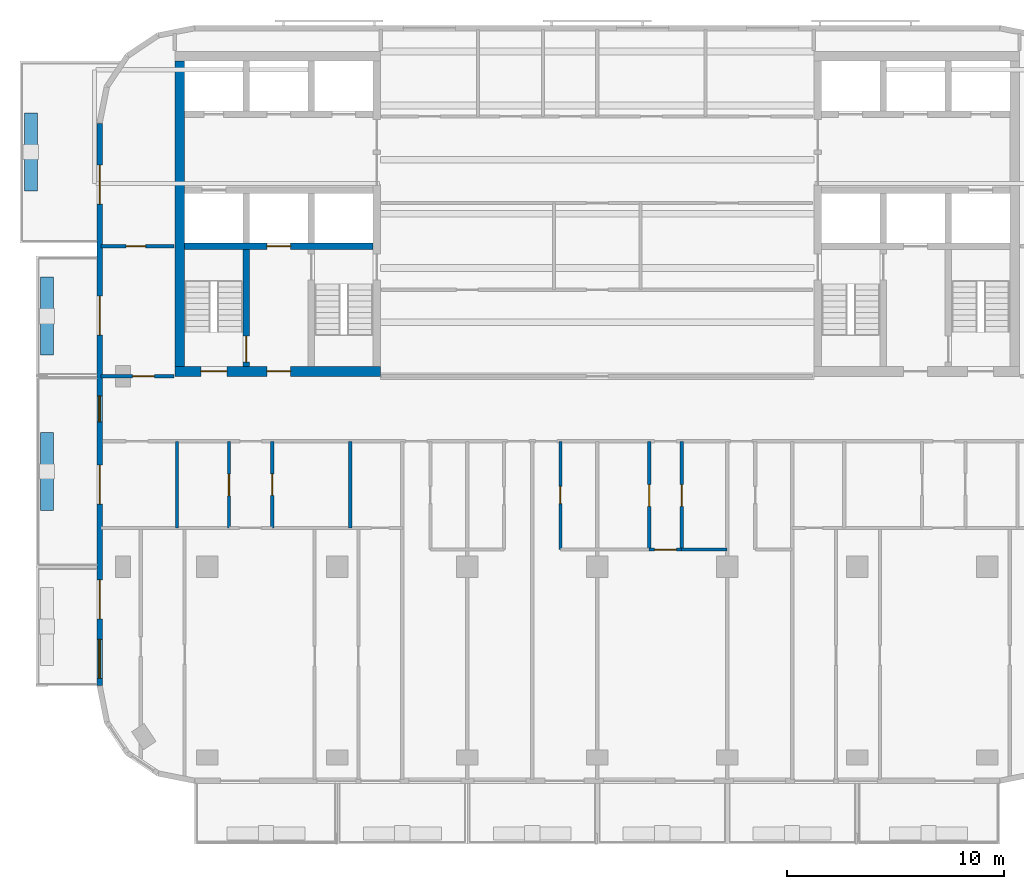
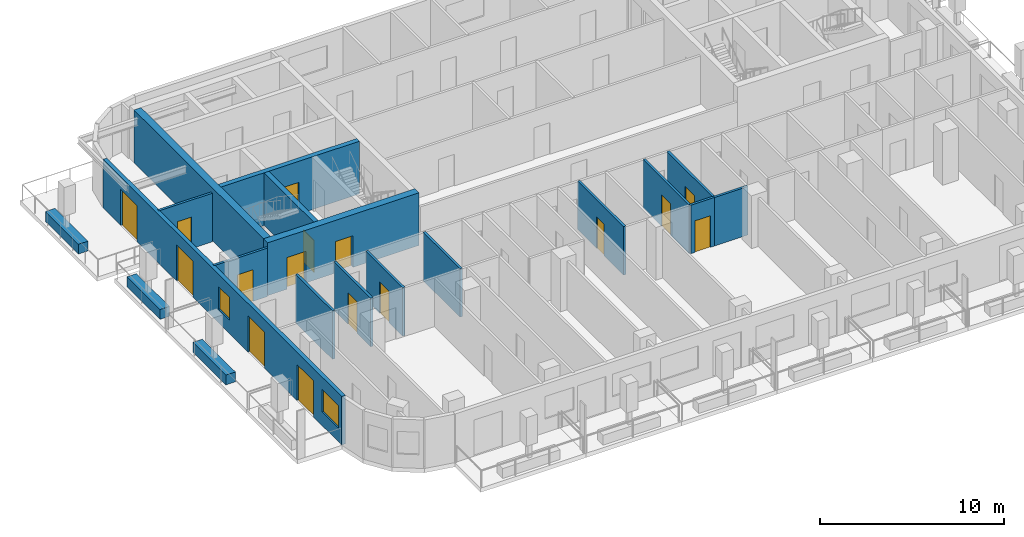
# One storey, part 3 of 11: 19 walls, 16 doors, 2 windows, 18 openings.
"""IFC4 building model written with IfcOpenShell, lengths in metres."""

from ifc_helpers import new_model, si_unit, direction, frame, frame_2d, origin, place, context, subcontext, project, spatial, rectangle, extrude, material, layer, layer_set, type_object, element, fill, save


model = new_model("IFC4")

# Units and contexts
model_context = context("Model", 3, precision=1e-05, world=origin(), true_north=direction((0.0, 1.0)))
body_context = subcontext(model_context, "Body", "Model", "MODEL_VIEW")
ifc_project = project(units=[si_unit("LENGTHUNIT", "METRE"), si_unit("AREAUNIT", "SQUARE_METRE"), si_unit("VOLUMEUNIT", "CUBIC_METRE"), si_unit("PLANEANGLEUNIT", "RADIAN"), si_unit("MASSUNIT", "GRAM", prefix="KILO")], contexts=[model_context])

# Site, building, storey
site_placement = place(None, origin())
site = spatial("IfcSite", under=ifc_project, at=site_placement, CompositionType="ELEMENT")
building_placement = place(site_placement, origin())
building = spatial("IfcBuilding", under=site, at=building_placement, Name="Torana Hotel and Residences", CompositionType="ELEMENT")
storey_placement = place(building_placement, frame((0.0, 0.0, 270.10009765625)))
storey = spatial("IfcBuildingStorey", under=building, at=storey_placement, Name="L71", CompositionType="ELEMENT", Elevation=270.10009765625)

# Wall, opening, door
ifc_material_1 = material(Name="Concrete C60/75", Category="concrete")
ifc_layer_1 = layer(ifc_material_1, 0.300048828125)
ifc_layer_set_1 = layer_set([ifc_layer_1], Name="CORE WALL 300 C60/75")
wall_type_1 = type_object("IfcWallType", Name="CORE WALL 300 C60/75", PredefinedType="SHEAR", material=ifc_layer_set_1)
wall_1_placement = place(storey_placement, frame((-19.050048828125, -9.0, 0.0), z_axis=(0.0, 0.0, 1.0), x_axis=(1.0, 0.0, 0.0)))
wall_1 = element("IfcWall", 1, at=wall_1_placement, inside=storey, type_object=wall_type_1, Name="Core wall W band", PredefinedType="SHEAR", context=body_context, shape_type="SweptSolid", body=[
    extrude(rectangle(XDim=8.699951171875, YDim=0.300048828125, at=frame_2d((4.35009765625, 0.0))), origin(), (0.0, 0.0, 1.0), 3.5),
])
opening_1_placement = place(wall_1_placement, frame((3.800048828125, 0.0, 0.0)))
opening_1 = element("IfcOpeningElement", 2, at=opening_1_placement, cuts=wall_1, Name="Opening LD", PredefinedType="OPENING", context=body_context, shape_type="SweptSolid", body=[
    extrude(rectangle(XDim=1.10009765625, YDim=2.10009765625, at=frame_2d((0.550048828125, 1.050048828125))), frame((0.0, 0.159912109375, 0.0), z_axis=(0.0, -1.0, 0.0), x_axis=(1.0, 0.0, 0.0)), (0.0, 0.0, 1.0), 0.320068359375),
])
ifc_material_2 = material(Name="Stainless steel 316", Category="steel")
door_type_1 = type_object("IfcDoorType", Name="LIFT LANDING DOOR LD 1100x2100", OperationType="DOUBLE_DOOR_SLIDING", PredefinedType="USERDEFINED", material=ifc_material_2)
door_1_placement = place(opening_1_placement, origin())
door_1 = element("IfcDoor", 3, at=door_1_placement, inside=storey, type_object=door_type_1, Name="Lift landing door FF1 L71", ObjectType="LIFT LANDING DOOR", OperationType="DOUBLE_DOOR_SLIDING", OverallHeight=2.10009765625, OverallWidth=1.10009765625, PredefinedType="USERDEFINED", context=body_context, shape_type="SweptSolid", body=[
    extrude(rectangle(XDim=1.10009765625, YDim=2.10009765625, at=frame_2d((0.550048828125, 1.050048828125))), frame((0.0, 0.02490234375, 0.0), z_axis=(0.0, -1.0, 0.0), x_axis=(1.0, 0.0, 0.0)), (0.0, 0.0, 1.0), 0.050048828125),
])
fill(opening_1, door_1)

wall_2_placement = place(storey_placement, frame((-16.199951171875, -14.550048828125, 0.0), z_axis=(0.0, 0.0, 1.0), x_axis=(0.0, 1.0, 0.0)))
wall_2 = element("IfcWall", 4, at=wall_2_placement, inside=storey, type_object=wall_type_1, Name="Core wall W x6.05-band", PredefinedType="SHEAR", context=body_context, shape_type="SweptSolid", body=[
    extrude(rectangle(XDim=5.400146484375, YDim=0.300048828125, at=frame_2d((2.7001953125, 0.0))), origin(), (0.0, 0.0, 1.0), 3.5),
])
opening_2_placement = place(wall_2_placement, frame((0.199951171875, 0.0, 0.0)))
opening_2 = element("IfcOpeningElement", 5, at=opening_2_placement, cuts=wall_2, Name="Opening L71-08", PredefinedType="OPENING", context=body_context, shape_type="SweptSolid", body=[
    extrude(rectangle(XDim=1.199951171875, YDim=2.10009765625, at=frame_2d((0.60009765625, 1.050048828125))), frame((0.0, 0.159912109375, 0.0), z_axis=(0.0, -1.0, 0.0), x_axis=(1.0, 0.0, 0.0)), (0.0, 0.0, 1.0), 0.320068359375),
])
ifc_material_3 = material(Name="Steel S235", Category="steel")
door_type_2 = type_object("IfcDoorType", Name="STAIR FIRE DOOR D3 1200x2100", OperationType="SINGLE_SWING_LEFT", PredefinedType="DOOR", material=ifc_material_3)
door_2_placement = place(opening_2_placement, origin())
door_2 = element("IfcDoor", 6, at=door_2_placement, inside=storey, type_object=door_type_2, Name="Stair-B-lobby door L71", OperationType="SINGLE_SWING_RIGHT", OverallHeight=2.10009765625, OverallWidth=1.199951171875, PredefinedType="DOOR", context=body_context, shape_type="SweptSolid", body=[
    extrude(rectangle(XDim=1.199951171875, YDim=2.10009765625, at=frame_2d((0.60009765625, 1.050048828125))), frame((0.0, 0.02490234375, 0.0), z_axis=(0.0, -1.0, 0.0), x_axis=(1.0, 0.0, 0.0)), (0.0, 0.0, 1.0), 0.050048828125),
])
fill(opening_2, door_2)

# Wall, openings, doors
ifc_material_4 = material(Name="Concrete C60/75", Category="concrete")
ifc_layer_2 = layer(ifc_material_4, 0.449951171875)
ifc_layer_set_2 = layer_set([ifc_layer_2], Name="CORE WALL 450 C60/75")
wall_type_2 = type_object("IfcWallType", Name="CORE WALL 450 C60/75", PredefinedType="SHEAR", material=ifc_layer_set_2)
wall_3_placement = place(storey_placement, frame((-19.5, -14.77490234375, 0.0), z_axis=(0.0, 0.0, 1.0), x_axis=(1.0, 0.0, 0.0)))
wall_3 = element("IfcWall", 7, at=wall_3_placement, inside=storey, type_object=wall_type_2, Name="Core wall W front", PredefinedType="SHEAR", context=body_context, shape_type="SweptSolid", body=[
    extrude(rectangle(XDim=9.5, YDim=0.449951171875, at=frame_2d((4.75, 0.0))), origin(), (0.0, 0.0, 1.0), 3.5),
])
opening_3_placement = place(wall_3_placement, frame((1.199951171875, 0.0, 0.0)))
opening_3 = element("IfcOpeningElement", 8, at=opening_3_placement, cuts=wall_3, Name="Opening L71-04", PredefinedType="OPENING", context=body_context, shape_type="SweptSolid", body=[
    extrude(rectangle(XDim=1.199951171875, YDim=2.10009765625, at=frame_2d((0.60009765625, 1.050048828125))), frame((0.0, 0.23486328125, 0.0), z_axis=(0.0, -1.0, 0.0), x_axis=(1.0, 0.0, 0.0)), (0.0, 0.0, 1.0), 0.469970703125),
])
opening_4_placement = place(wall_3_placement, frame((4.25, 0.0, 0.0)))
opening_4 = element("IfcOpeningElement", 9, at=opening_4_placement, cuts=wall_3, Name="Opening L71-05", PredefinedType="OPENING", context=body_context, shape_type="SweptSolid", body=[
    extrude(rectangle(XDim=1.10009765625, YDim=2.10009765625, at=frame_2d((0.550048828125, 1.050048828125))), frame((0.0, 0.23486328125, 0.0), z_axis=(0.0, -1.0, 0.0), x_axis=(1.0, 0.0, 0.0)), (0.0, 0.0, 1.0), 0.469970703125),
])
ifc_material_5 = material(Name="Steel S235", Category="steel")
door_type_3 = type_object("IfcDoorType", Name="FIRE-FIGHTING LOBBY DOOR D8 1100x2100", OperationType="SINGLE_SWING_LEFT", PredefinedType="DOOR", material=ifc_material_5)
door_3_placement = place(opening_4_placement, origin())
door_3 = element("IfcDoor", 10, at=door_3_placement, inside=storey, type_object=door_type_3, Name="FF-lobby door L71", OperationType="SINGLE_SWING_RIGHT", OverallHeight=2.10009765625, OverallWidth=1.10009765625, PredefinedType="DOOR", context=body_context, shape_type="SweptSolid", body=[
    extrude(rectangle(XDim=1.10009765625, YDim=2.10009765625, at=frame_2d((0.550048828125, 1.050048828125))), frame((0.0, 0.02490234375, 0.0), z_axis=(0.0, -1.0, 0.0), x_axis=(1.0, 0.0, 0.0)), (0.0, 0.0, 1.0), 0.050048828125),
])
fill(opening_4, door_3)
door_4_placement = place(opening_3_placement, origin())
door_4 = element("IfcDoor", 11, at=door_4_placement, inside=storey, type_object=door_type_2, Name="Stair-B door L71", OperationType="SINGLE_SWING_RIGHT", OverallHeight=2.10009765625, OverallWidth=1.199951171875, PredefinedType="DOOR", context=body_context, shape_type="SweptSolid", body=[
    extrude(rectangle(XDim=1.199951171875, YDim=2.10009765625, at=frame_2d((0.60009765625, 1.050048828125))), frame((0.0, 0.02490234375, 0.0), z_axis=(0.0, -1.0, 0.0), x_axis=(1.0, 0.0, 0.0)), (0.0, 0.0, 1.0), 0.050048828125),
])
fill(opening_3, door_4)

# Wall
wall_4_placement = place(storey_placement, frame((-19.27490234375, -14.550048828125, 0.0), z_axis=(0.0, 0.0, 1.0), x_axis=(0.0, 1.0, 0.0)))
element("IfcWall", 12, at=wall_4_placement, inside=storey, type_object=wall_type_2, Name="Core wall W outer", PredefinedType="SHEAR", context=body_context, shape_type="SweptSolid", body=[
    extrude(rectangle(XDim=14.10009765625, YDim=0.449951171875, at=frame_2d((7.050048828125, 0.0))), origin(), (0.0, 0.0, 1.0), 3.5),
])

# Wall, openings, doors, windows
ifc_material_6 = material(Name="Black aluminium composite panel", Category="aluminium")
ifc_layer_3 = layer(ifc_material_6, 0.00390625, Name="Cladding", Category="cladding")
ifc_material_7 = material(Name="Ventilated air cavity")
ifc_layer_4 = layer(ifc_material_7, 0.0400390625, Name="Ventilated cavity", Category="cavity")
ifc_material_8 = material(Name="Mineral wool insulation")
ifc_layer_5 = layer(ifc_material_8, 0.090087890625, Name="Insulation", Category="insulation")
ifc_material_9 = material(Name="Steel S280GD", Category="steel")
ifc_layer_6 = layer(ifc_material_9, 0.092041015625, Name="Steel stud frame", Category="structure")
ifc_material_10 = material(Name="Fire rated plasterboard")
ifc_layer_7 = layer(ifc_material_10, 0.011962890625, Name="Inner board", Category="finish")
ifc_layer_8 = layer(ifc_material_10, 0.011962890625, Name="Second board", Category="finish")
ifc_layer_set_3 = layer_set([ifc_layer_3, ifc_layer_4, ifc_layer_5, ifc_layer_6, ifc_layer_7, ifc_layer_8], Name="EW1 EXTERNAL WALL BLACK METAL CLAD 250")
wall_type_3 = type_object("IfcWallType", Name="EW1 EXTERNAL WALL BLACK METAL CLAD 250", PredefinedType="SOLIDWALL", material=ifc_layer_set_3)
wall_5_placement = place(storey_placement, frame((-22.97509765625, -3.32470703125, 0.0), z_axis=(0.0, 0.0, 1.0), x_axis=(0.0, -1.0, 0.0)))
wall_5 = element("IfcWall", 13, at=wall_5_placement, inside=storey, type_object=wall_type_3, Name="External wall L71 e0.9", PredefinedType="SOLIDWALL", context=body_context, shape_type="SweptSolid", body=[
    extrude(rectangle(XDim=25.95068359375, YDim=0.25, at=frame_2d((12.975341796875, 0.0))), origin(), (0.0, 0.0, 1.0), 3.219970703125),
])
opening_5_placement = place(wall_5_placement, frame((1.92529296875, 0.0, 0.0)))
opening_5 = element("IfcOpeningElement", 14, at=opening_5_placement, cuts=wall_5, Name="Opening L71-E11", PredefinedType="OPENING", context=body_context, shape_type="SweptSolid", body=[
    extrude(rectangle(XDim=1.800048828125, YDim=2.39990234375, at=frame_2d((0.89990234375, 1.199951171875))), frame((0.0, 0.135009765625, 0.0), z_axis=(0.0, -1.0, 0.0), x_axis=(1.0, 0.0, 0.0)), (0.0, 0.0, 1.0), 0.27001953125),
])
opening_6_placement = place(wall_5_placement, frame((7.975341796875, 0.0, 0.0)))
opening_6 = element("IfcOpeningElement", 15, at=opening_6_placement, cuts=wall_5, Name="Opening L71-E12", PredefinedType="OPENING", context=body_context, shape_type="SweptSolid", body=[
    extrude(rectangle(XDim=1.800048828125, YDim=2.39990234375, at=frame_2d((0.89990234375, 1.199951171875))), frame((0.0, 0.135009765625, 0.0), z_axis=(0.0, -1.0, 0.0), x_axis=(1.0, 0.0, 0.0)), (0.0, 0.0, 1.0), 0.27001953125),
])
opening_7_placement = place(wall_5_placement, frame((12.575439453125, 0.0, 0.89990234375)))
opening_7 = element("IfcOpeningElement", 16, at=opening_7_placement, cuts=wall_5, Name="Opening W5", PredefinedType="OPENING", context=body_context, shape_type="SweptSolid", body=[
    extrude(rectangle(XDim=1.199951171875, YDim=1.5, at=frame_2d((0.60009765625, 0.75))), frame((0.0, 0.135009765625, 0.0), z_axis=(0.0, -1.0, 0.0), x_axis=(1.0, 0.0, 0.0)), (0.0, 0.0, 1.0), 0.27001953125),
])
opening_8_placement = place(wall_5_placement, frame((15.775390625, 0.0, 0.0)))
opening_8 = element("IfcOpeningElement", 17, at=opening_8_placement, cuts=wall_5, Name="Opening L71-E13", PredefinedType="OPENING", context=body_context, shape_type="SweptSolid", body=[
    extrude(rectangle(XDim=1.800048828125, YDim=2.39990234375, at=frame_2d((0.89990234375, 1.199951171875))), frame((0.0, 0.135009765625, 0.0), z_axis=(0.0, -1.0, 0.0), x_axis=(1.0, 0.0, 0.0)), (0.0, 0.0, 1.0), 0.27001953125),
])
opening_9_placement = place(wall_5_placement, frame((21.075439453125, 0.0, 0.0)))
opening_9 = element("IfcOpeningElement", 18, at=opening_9_placement, cuts=wall_5, Name="Opening L71-E14", PredefinedType="OPENING", context=body_context, shape_type="SweptSolid", body=[
    extrude(rectangle(XDim=1.800048828125, YDim=2.39990234375, at=frame_2d((0.89990234375, 1.199951171875))), frame((0.0, 0.135009765625, 0.0), z_axis=(0.0, -1.0, 0.0), x_axis=(1.0, 0.0, 0.0)), (0.0, 0.0, 1.0), 0.27001953125),
])
opening_10_placement = place(wall_5_placement, frame((23.825439453125, 0.0, 0.89990234375)))
opening_10 = element("IfcOpeningElement", 19, at=opening_10_placement, cuts=wall_5, Name="Opening W4", PredefinedType="OPENING", context=body_context, shape_type="SweptSolid", body=[
    extrude(rectangle(XDim=1.800048828125, YDim=1.5, at=frame_2d((0.89990234375, 0.75))), frame((0.0, 0.135009765625, 0.0), z_axis=(0.0, -1.0, 0.0), x_axis=(1.0, 0.0, 0.0)), (0.0, 0.0, 1.0), 0.27001953125),
])
ifc_material_11 = material(Name="Dark glass in black aluminium frame", Category="aluminium")
door_type_4 = type_object("IfcDoorType", Name="DB1 BALCONY DOOR 1800x2400", OperationType="DOUBLE_DOOR_SINGLE_SWING", PredefinedType="DOOR", material=ifc_material_11)
door_5_placement = place(opening_5_placement, origin())
door_5 = element("IfcDoor", 20, at=door_5_placement, inside=storey, type_object=door_type_4, Name="Balcony door L71", OperationType="DOUBLE_DOOR_SINGLE_SWING", OverallHeight=2.39990234375, OverallWidth=1.800048828125, PredefinedType="DOOR", context=body_context, shape_type="SweptSolid", body=[
    extrude(rectangle(XDim=1.800048828125, YDim=2.39990234375, at=frame_2d((0.89990234375, 1.199951171875))), frame((0.0, 0.02490234375, 0.0), z_axis=(0.0, -1.0, 0.0), x_axis=(1.0, 0.0, 0.0)), (0.0, 0.0, 1.0), 0.050048828125),
])
fill(opening_5, door_5)
door_6_placement = place(opening_6_placement, origin())
door_6 = element("IfcDoor", 21, at=door_6_placement, inside=storey, type_object=door_type_4, Name="Balcony door L71", OperationType="DOUBLE_DOOR_SINGLE_SWING", OverallHeight=2.39990234375, OverallWidth=1.800048828125, PredefinedType="DOOR", context=body_context, shape_type="SweptSolid", body=[
    extrude(rectangle(XDim=1.800048828125, YDim=2.39990234375, at=frame_2d((0.89990234375, 1.199951171875))), frame((0.0, 0.02490234375, 0.0), z_axis=(0.0, -1.0, 0.0), x_axis=(1.0, 0.0, 0.0)), (0.0, 0.0, 1.0), 0.050048828125),
])
fill(opening_6, door_6)
door_7_placement = place(opening_8_placement, origin())
door_7 = element("IfcDoor", 22, at=door_7_placement, inside=storey, type_object=door_type_4, Name="Balcony door L71", OperationType="DOUBLE_DOOR_SINGLE_SWING", OverallHeight=2.39990234375, OverallWidth=1.800048828125, PredefinedType="DOOR", context=body_context, shape_type="SweptSolid", body=[
    extrude(rectangle(XDim=1.800048828125, YDim=2.39990234375, at=frame_2d((0.89990234375, 1.199951171875))), frame((0.0, 0.02490234375, 0.0), z_axis=(0.0, -1.0, 0.0), x_axis=(1.0, 0.0, 0.0)), (0.0, 0.0, 1.0), 0.050048828125),
])
fill(opening_8, door_7)
door_8_placement = place(opening_9_placement, origin())
door_8 = element("IfcDoor", 23, at=door_8_placement, inside=storey, type_object=door_type_4, Name="Balcony door L71", OperationType="DOUBLE_DOOR_SINGLE_SWING", OverallHeight=2.39990234375, OverallWidth=1.800048828125, PredefinedType="DOOR", context=body_context, shape_type="SweptSolid", body=[
    extrude(rectangle(XDim=1.800048828125, YDim=2.39990234375, at=frame_2d((0.89990234375, 1.199951171875))), frame((0.0, 0.02490234375, 0.0), z_axis=(0.0, -1.0, 0.0), x_axis=(1.0, 0.0, 0.0)), (0.0, 0.0, 1.0), 0.050048828125),
])
fill(opening_9, door_8)
ifc_material_12 = material(Name="Dark glass in black aluminium frame", Category="aluminium")
window_type_1 = type_object("IfcWindowType", Name="W4 RESIDENCE WINDOW NARROW 1800x1500", PartitioningType="SINGLE_PANEL", PredefinedType="WINDOW", material=ifc_material_12)
window_1_placement = place(opening_10_placement, origin())
window_1 = element("IfcWindow", 24, at=window_1_placement, inside=storey, type_object=window_type_1, Name="Window L71", OverallHeight=1.5, OverallWidth=1.800048828125, PartitioningType="SINGLE_PANEL", PredefinedType="WINDOW", context=body_context, shape_type="SweptSolid", body=[
    extrude(rectangle(XDim=1.800048828125, YDim=1.5, at=frame_2d((0.89990234375, 0.75))), frame((0.0, 0.030029296875, 0.0), z_axis=(0.0, -1.0, 0.0), x_axis=(1.0, 0.0, 0.0)), (0.0, 0.0, 1.0), 0.06005859375),
])
fill(opening_10, window_1)
ifc_material_13 = material(Name="Dark glass in black aluminium frame", Category="aluminium")
window_type_2 = type_object("IfcWindowType", Name="W5 CORNER FACET WINDOW 1200x1500", PartitioningType="SINGLE_PANEL", PredefinedType="WINDOW", material=ifc_material_13)
window_2_placement = place(opening_7_placement, origin())
window_2 = element("IfcWindow", 25, at=window_2_placement, inside=storey, type_object=window_type_2, Name="Window L71", OverallHeight=1.5, OverallWidth=1.199951171875, PartitioningType="SINGLE_PANEL", PredefinedType="WINDOW", context=body_context, shape_type="SweptSolid", body=[
    extrude(rectangle(XDim=1.199951171875, YDim=1.5, at=frame_2d((0.60009765625, 0.75))), frame((0.0, 0.030029296875, 0.0), z_axis=(0.0, -1.0, 0.0), x_axis=(1.0, 0.0, 0.0)), (0.0, 0.0, 1.0), 0.06005859375),
])
fill(opening_7, window_2)

# Wall, opening, door
ifc_material_14 = material(Name="Gypsum plaster")
ifc_layer_9 = layer(ifc_material_14, 0.014892578125, Name="Plaster", Category="finish")
ifc_material_15 = material(Name="Concrete blockwork", Category="masonry")
ifc_layer_10 = layer(ifc_material_15, 0.1201171875, Name="Blockwork", Category="structure")
ifc_layer_11 = layer(ifc_material_14, 0.014892578125, Name="Plaster", Category="finish")
ifc_layer_set_4 = layer_set([ifc_layer_9, ifc_layer_10, ifc_layer_11], Name="FIRE PARTITION 150 BLOCKWORK")
wall_type_4 = type_object("IfcWallType", Name="FIRE PARTITION 150 BLOCKWORK", PredefinedType="PARTITIONING", material=ifc_layer_set_4)
wall_6_placement = place(storey_placement, frame((3.89990234375, -23.0, 0.0), z_axis=(0.0, 0.0, 1.0), x_axis=(0.0, 1.0, 0.0)))
wall_6 = element("IfcWall", 26, at=wall_6_placement, inside=storey, type_object=wall_type_4, Name="Partition L71", PredefinedType="PARTITIONING", context=body_context, shape_type="SweptSolid", body=[
    extrude(rectangle(XDim=5.0, YDim=0.14990234375, at=frame_2d((2.5, 0.0))), origin(), (0.0, 0.0, 1.0), 3.219970703125),
])
opening_11_placement = place(wall_6_placement, frame((2.0, 0.0, 0.0)))
opening_11 = element("IfcOpeningElement", 27, at=opening_11_placement, cuts=wall_6, Name="Opening L71-42", PredefinedType="OPENING", context=body_context, shape_type="SweptSolid", body=[
    extrude(rectangle(XDim=1.0, YDim=2.10009765625, at=frame_2d((0.5, 1.050048828125))), frame((0.0, 0.0849609375, 0.0), z_axis=(0.0, -1.0, 0.0), x_axis=(1.0, 0.0, 0.0)), (0.0, 0.0, 1.0), 0.169921875),
])
ifc_material_16 = material(Name="Steel S235", Category="steel")
door_type_5 = type_object("IfcDoorType", Name="ENTRY FIRE DOOR D6 1000x2100", OperationType="SINGLE_SWING_LEFT", PredefinedType="DOOR", material=ifc_material_16)
door_9_placement = place(opening_11_placement, frame((0.5, 0.0, 0.0), z_axis=(0.0, 0.0, 1.0), x_axis=(-1.0, 0.0, 0.0)))
door_9 = element("IfcDoor", 28, at=door_9_placement, inside=storey, type_object=door_type_5, Name="Door L71", OperationType="SINGLE_SWING_LEFT", OverallHeight=2.10009765625, OverallWidth=1.0, PredefinedType="DOOR", context=body_context, shape_type="SweptSolid", body=[
    extrude(rectangle(XDim=1.0, YDim=2.10009765625, at=frame_2d((0.0, 1.050048828125))), frame((0.0, -0.02490234375, 0.0), z_axis=(0.0, 1.0, 0.0), x_axis=(-1.0, 0.0, 0.0)), (0.0, 0.0, 1.0), 0.050048828125),
])
fill(opening_11, door_9)

wall_7_placement = place(storey_placement, frame((2.39990234375, -23.0, 0.0), z_axis=(0.0, 0.0, 1.0), x_axis=(0.0, 1.0, 0.0)))
wall_7 = element("IfcWall", 29, at=wall_7_placement, inside=storey, type_object=wall_type_4, Name="Partition L71", PredefinedType="PARTITIONING", context=body_context, shape_type="SweptSolid", body=[
    extrude(rectangle(XDim=5.0, YDim=0.14990234375, at=frame_2d((2.5, 0.0))), origin(), (0.0, 0.0, 1.0), 3.219970703125),
])
opening_12_placement = place(wall_7_placement, frame((2.0, 0.0, 0.0)))
opening_12 = element("IfcOpeningElement", 30, at=opening_12_placement, cuts=wall_7, Name="Opening L71-41", PredefinedType="OPENING", context=body_context, shape_type="SweptSolid", body=[
    extrude(rectangle(XDim=1.0, YDim=2.10009765625, at=frame_2d((0.5, 1.050048828125))), frame((0.0, 0.0849609375, 0.0), z_axis=(0.0, -1.0, 0.0), x_axis=(1.0, 0.0, 0.0)), (0.0, 0.0, 1.0), 0.169921875),
])
door_10_placement = place(opening_12_placement, origin())
door_10 = element("IfcDoor", 31, at=door_10_placement, inside=storey, type_object=door_type_5, Name="Door L71", OperationType="SINGLE_SWING_RIGHT", OverallHeight=2.10009765625, OverallWidth=1.0, PredefinedType="DOOR", context=body_context, shape_type="SweptSolid", body=[
    extrude(rectangle(XDim=1.0, YDim=2.10009765625, at=frame_2d((0.5, 1.050048828125))), frame((0.0, 0.02490234375, 0.0), z_axis=(0.0, -1.0, 0.0), x_axis=(1.0, 0.0, 0.0)), (0.0, 0.0, 1.0), 0.050048828125),
])
fill(opening_12, door_10)

wall_8_placement = place(storey_placement, frame((-15.0, -22.0, 0.0), z_axis=(0.0, 0.0, 1.0), x_axis=(0.0, 1.0, 0.0)))
wall_8 = element("IfcWall", 32, at=wall_8_placement, inside=storey, type_object=wall_type_4, Name="Partition L71", PredefinedType="PARTITIONING", context=body_context, shape_type="SweptSolid", body=[
    extrude(rectangle(XDim=4.0, YDim=0.14990234375, at=frame_2d((2.0, 0.0))), origin(), (0.0, 0.0, 1.0), 3.219970703125),
])
opening_13_placement = place(wall_8_placement, frame((1.5, 0.0, 0.0)))
opening_13 = element("IfcOpeningElement", 33, at=opening_13_placement, cuts=wall_8, Name="Opening L71-46", PredefinedType="OPENING", context=body_context, shape_type="SweptSolid", body=[
    extrude(rectangle(XDim=1.0, YDim=2.10009765625, at=frame_2d((0.5, 1.050048828125))), frame((0.0, 0.0849609375, 0.0), z_axis=(0.0, -1.0, 0.0), x_axis=(1.0, 0.0, 0.0)), (0.0, 0.0, 1.0), 0.169921875),
])
door_11_placement = place(opening_13_placement, frame((0.5, 0.0, 0.0), z_axis=(0.0, 0.0, 1.0), x_axis=(-1.0, 0.0, 0.0)))
door_11 = element("IfcDoor", 34, at=door_11_placement, inside=storey, type_object=door_type_5, Name="Door L71", OperationType="SINGLE_SWING_LEFT", OverallHeight=2.10009765625, OverallWidth=1.0, PredefinedType="DOOR", context=body_context, shape_type="SweptSolid", body=[
    extrude(rectangle(XDim=1.0, YDim=2.10009765625, at=frame_2d((0.0, 1.050048828125))), frame((0.0, -0.02490234375, 0.0), z_axis=(0.0, 1.0, 0.0), x_axis=(-1.0, 0.0, 0.0)), (0.0, 0.0, 1.0), 0.050048828125),
])
fill(opening_13, door_11)

wall_9_placement = place(storey_placement, frame((-17.0, -22.0, 0.0), z_axis=(0.0, 0.0, 1.0), x_axis=(0.0, 1.0, 0.0)))
wall_9 = element("IfcWall", 35, at=wall_9_placement, inside=storey, type_object=wall_type_4, Name="Partition L71", PredefinedType="PARTITIONING", context=body_context, shape_type="SweptSolid", body=[
    extrude(rectangle(XDim=4.0, YDim=0.14990234375, at=frame_2d((2.0, 0.0))), origin(), (0.0, 0.0, 1.0), 3.219970703125),
])
opening_14_placement = place(wall_9_placement, frame((1.47998046875, 0.0, 0.0)))
opening_14 = element("IfcOpeningElement", 36, at=opening_14_placement, cuts=wall_9, Name="Opening L71-47", PredefinedType="OPENING", context=body_context, shape_type="SweptSolid", body=[
    extrude(rectangle(XDim=1.0, YDim=2.10009765625, at=frame_2d((0.5, 1.050048828125))), frame((0.0, 0.0849609375, 0.0), z_axis=(0.0, -1.0, 0.0), x_axis=(1.0, 0.0, 0.0)), (0.0, 0.0, 1.0), 0.169921875),
])
door_12_placement = place(opening_14_placement, origin())
door_12 = element("IfcDoor", 37, at=door_12_placement, inside=storey, type_object=door_type_5, Name="Door L71", OperationType="SINGLE_SWING_RIGHT", OverallHeight=2.10009765625, OverallWidth=1.0, PredefinedType="DOOR", context=body_context, shape_type="SweptSolid", body=[
    extrude(rectangle(XDim=1.0, YDim=2.10009765625, at=frame_2d((0.5, 1.050048828125))), frame((0.0, 0.02490234375, 0.0), z_axis=(0.0, -1.0, 0.0), x_axis=(1.0, 0.0, 0.0)), (0.0, 0.0, 1.0), 0.050048828125),
])
fill(opening_14, door_12)

wall_10_placement = place(storey_placement, frame((2.39990234375, -23.0, 0.0), z_axis=(0.0, 0.0, 1.0), x_axis=(1.0, 0.0, 0.0)))
wall_10 = element("IfcWall", 38, at=wall_10_placement, inside=storey, type_object=wall_type_4, Name="Partition L71", PredefinedType="PARTITIONING", context=body_context, shape_type="SweptSolid", body=[
    extrude(rectangle(XDim=1.5, YDim=0.14990234375, at=frame_2d((0.75, 0.0))), origin(), (0.0, 0.0, 1.0), 3.219970703125),
])
opening_15_placement = place(wall_10_placement, frame((0.25, 0.0, 0.0)))
opening_15 = element("IfcOpeningElement", 39, at=opening_15_placement, cuts=wall_10, Name="Opening L71-43", PredefinedType="OPENING", context=body_context, shape_type="SweptSolid", body=[
    extrude(rectangle(XDim=1.0, YDim=2.10009765625, at=frame_2d((0.5, 1.050048828125))), frame((0.0, 0.0849609375, 0.0), z_axis=(0.0, -1.0, 0.0), x_axis=(1.0, 0.0, 0.0)), (0.0, 0.0, 1.0), 0.169921875),
])
door_13_placement = place(opening_15_placement, frame((0.5, 0.0, 0.0), z_axis=(0.0, 0.0, 1.0), x_axis=(-1.0, 0.0, 0.0)))
door_13 = element("IfcDoor", 40, at=door_13_placement, inside=storey, type_object=door_type_5, Name="Door L71", OperationType="SINGLE_SWING_LEFT", OverallHeight=2.10009765625, OverallWidth=1.0, PredefinedType="DOOR", context=body_context, shape_type="SweptSolid", body=[
    extrude(rectangle(XDim=1.0, YDim=2.10009765625, at=frame_2d((0.0, 1.050048828125))), frame((0.0, -0.02490234375, 0.0), z_axis=(0.0, 1.0, 0.0), x_axis=(-1.0, 0.0, 0.0)), (0.0, 0.0, 1.0), 0.050048828125),
])
fill(opening_15, door_13)

wall_11_placement = place(storey_placement, frame((-22.919921875, -15.0, 0.0), z_axis=(0.0, 0.0, 1.0), x_axis=(1.0, 0.0, 0.0)))
wall_11 = element("IfcWall", 41, at=wall_11_placement, inside=storey, type_object=wall_type_4, Name="Partition L71", PredefinedType="PARTITIONING", context=body_context, shape_type="SweptSolid", body=[
    extrude(rectangle(XDim=3.369873046875, YDim=0.14990234375, at=frame_2d((1.68505859375, 0.0))), origin(), (0.0, 0.0, 1.0), 3.219970703125),
])
opening_16_placement = place(wall_11_placement, frame((1.469970703125, 0.0, 0.0)))
opening_16 = element("IfcOpeningElement", 42, at=opening_16_placement, cuts=wall_11, Name="Opening L71-27", PredefinedType="OPENING", context=body_context, shape_type="SweptSolid", body=[
    extrude(rectangle(XDim=1.0, YDim=2.10009765625, at=frame_2d((0.5, 1.050048828125))), frame((0.0, 0.0849609375, 0.0), z_axis=(0.0, -1.0, 0.0), x_axis=(1.0, 0.0, 0.0)), (0.0, 0.0, 1.0), 0.169921875),
])
ifc_material_17 = material(Name="Steel S235", Category="steel")
door_type_6 = type_object("IfcDoorType", Name="CORE ROOM FIRE DOOR D14 1000x2100", OperationType="SINGLE_SWING_LEFT", PredefinedType="DOOR", material=ifc_material_17)
door_14_placement = place(opening_16_placement, origin())
door_14 = element("IfcDoor", 43, at=door_14_placement, inside=storey, type_object=door_type_6, Name="Door L71", OperationType="SINGLE_SWING_RIGHT", OverallHeight=2.10009765625, OverallWidth=1.0, PredefinedType="DOOR", context=body_context, shape_type="SweptSolid", body=[
    extrude(rectangle(XDim=1.0, YDim=2.10009765625, at=frame_2d((0.5, 1.050048828125))), frame((0.0, 0.02490234375, 0.0), z_axis=(0.0, -1.0, 0.0), x_axis=(1.0, 0.0, 0.0)), (0.0, 0.0, 1.0), 0.050048828125),
])
fill(opening_16, door_14)

ifc_material_18 = material(Name="Gypsum plasterboard")
ifc_layer_12 = layer(ifc_material_18, 0.012451171875, Name="Plasterboard", Category="finish")
ifc_layer_13 = layer(ifc_material_18, 0.012451171875, Name="Plasterboard", Category="finish")
ifc_layer_14 = layer(ifc_material_9, 0.10009765625, Name="Steel studs with mineral wool", Category="insulation")
ifc_layer_15 = layer(ifc_material_18, 0.012451171875, Name="Plasterboard", Category="finish")
ifc_layer_16 = layer(ifc_material_18, 0.012451171875, Name="Plasterboard", Category="finish")
ifc_layer_set_5 = layer_set([ifc_layer_12, ifc_layer_13, ifc_layer_14, ifc_layer_15, ifc_layer_16], Name="PARTITION 150 PLASTERBOARD")
wall_type_5 = type_object("IfcWallType", Name="PARTITION 150 PLASTERBOARD", PredefinedType="PARTITIONING", material=ifc_layer_set_5)
wall_12_placement = place(storey_placement, frame((-1.699951171875, -23.0, 0.0), z_axis=(0.0, 0.0, 1.0), x_axis=(0.0, 1.0, 0.0)))
wall_12 = element("IfcWall", 44, at=wall_12_placement, inside=storey, type_object=wall_type_5, Name="Partition L71", PredefinedType="PARTITIONING", context=body_context, shape_type="SweptSolid", body=[
    extrude(rectangle(XDim=5.0, YDim=0.14990234375, at=frame_2d((2.5, 0.0))), origin(), (0.0, 0.0, 1.0), 3.219970703125),
])
opening_17_placement = place(wall_12_placement, frame((2.1201171875, 0.0, 0.0)))
opening_17 = element("IfcOpeningElement", 45, at=opening_17_placement, cuts=wall_12, Name="Opening L71-40", PredefinedType="OPENING", context=body_context, shape_type="SweptSolid", body=[
    extrude(rectangle(XDim=0.800048828125, YDim=2.10009765625, at=frame_2d((0.39990234375, 1.050048828125))), frame((0.0, 0.0849609375, 0.0), z_axis=(0.0, -1.0, 0.0), x_axis=(1.0, 0.0, 0.0)), (0.0, 0.0, 1.0), 0.169921875),
])
ifc_material_19 = material(Name="Timber door, painted", Category="wood")
door_type_7 = type_object("IfcDoorType", Name="BATH DOOR D13 800x2100", OperationType="SINGLE_SWING_LEFT", PredefinedType="DOOR", material=ifc_material_19)
door_15_placement = place(opening_17_placement, origin())
door_15 = element("IfcDoor", 46, at=door_15_placement, inside=storey, type_object=door_type_7, Name="Door L71", OperationType="SINGLE_SWING_RIGHT", OverallHeight=2.10009765625, OverallWidth=0.800048828125, PredefinedType="DOOR", context=body_context, shape_type="SweptSolid", body=[
    extrude(rectangle(XDim=0.800048828125, YDim=2.10009765625, at=frame_2d((0.39990234375, 1.050048828125))), frame((0.0, 0.02490234375, 0.0), z_axis=(0.0, -1.0, 0.0), x_axis=(1.0, 0.0, 0.0)), (0.0, 0.0, 1.0), 0.050048828125),
])
fill(opening_17, door_15)

# Walls
for number, where, z_axis, x_axis, name in (
    (47, (-11.39990234375, -22.0, 0.0), (0.0, 0.0, 1.0), (0.0, 1.0, 0.0), "Partition L71"),
    (48, (-19.39990234375, -22.0, 0.0), (0.0, 0.0, 1.0), (0.0, 1.0, 0.0), "Partition L71"),
):
    element("IfcWall", number, at=place(storey_placement, frame(where, z_axis=z_axis, x_axis=x_axis)), inside=storey, type_object=wall_type_5, Name=name, PredefinedType="PARTITIONING", context=body_context, shape_type="SweptSolid", body=[
        extrude(rectangle(XDim=4.0, YDim=0.14990234375, at=frame_2d((2.0, 0.0))), origin(), (0.0, 0.0, 1.0), 3.219970703125),
    ])
wall_13_placement = place(storey_placement, frame((3.89990234375, -23.0, 0.0), z_axis=(0.0, 0.0, 1.0), x_axis=(1.0, 0.0, 0.0)))
element("IfcWall", 49, at=wall_13_placement, inside=storey, type_object=wall_type_5, Name="Partition L71", PredefinedType="PARTITIONING", context=body_context, shape_type="SweptSolid", body=[
    extrude(rectangle(XDim=2.10009765625, YDim=0.14990234375, at=frame_2d((1.050048828125, 0.0))), origin(), (0.0, 0.0, 1.0), 3.219970703125),
])

# Wall, opening, door
wall_14_placement = place(storey_placement, frame((-22.919921875, -9.0, 0.0), z_axis=(0.0, 0.0, 1.0), x_axis=(1.0, 0.0, 0.0)))
wall_14 = element("IfcWall", 50, at=wall_14_placement, inside=storey, type_object=wall_type_5, Name="Partition L71", PredefinedType="PARTITIONING", context=body_context, shape_type="SweptSolid", body=[
    extrude(rectangle(XDim=3.369873046875, YDim=0.14990234375, at=frame_2d((1.68505859375, 0.0))), origin(), (0.0, 0.0, 1.0), 3.219970703125),
])
opening_18_placement = place(wall_14_placement, frame((1.169921875, 0.0, 0.0)))
opening_18 = element("IfcOpeningElement", 51, at=opening_18_placement, cuts=wall_14, Name="Opening L71-61", PredefinedType="OPENING", context=body_context, shape_type="SweptSolid", body=[
    extrude(rectangle(XDim=0.89990234375, YDim=2.10009765625, at=frame_2d((0.449951171875, 1.050048828125))), frame((0.0, 0.0849609375, 0.0), z_axis=(0.0, -1.0, 0.0), x_axis=(1.0, 0.0, 0.0)), (0.0, 0.0, 1.0), 0.169921875),
])
ifc_material_20 = material(Name="Timber door, oiled ash", Category="wood")
door_type_8 = type_object("IfcDoorType", Name="ROOM DOOR D7 900x2100", OperationType="SINGLE_SWING_LEFT", PredefinedType="DOOR", material=ifc_material_20)
door_16_placement = place(opening_18_placement, origin())
door_16 = element("IfcDoor", 52, at=door_16_placement, inside=storey, type_object=door_type_8, Name="Door L71", OperationType="SINGLE_SWING_RIGHT", OverallHeight=2.10009765625, OverallWidth=0.89990234375, PredefinedType="DOOR", context=body_context, shape_type="SweptSolid", body=[
    extrude(rectangle(XDim=0.89990234375, YDim=2.10009765625, at=frame_2d((0.449951171875, 1.050048828125))), frame((0.0, 0.02490234375, 0.0), z_axis=(0.0, -1.0, 0.0), x_axis=(1.0, 0.0, 0.0)), (0.0, 0.0, 1.0), 0.050048828125),
])
fill(opening_18, door_16)

# Walls
ifc_material_21 = material(Name="Concrete C40/50 precast", Category="concrete")
ifc_layer_17 = layer(ifc_material_21, 0.10009765625, Name="Planter shell", Category="structure")
ifc_material_22 = material(Name="Root resistant membrane")
ifc_layer_18 = layer(ifc_material_22, 0.00390625, Name="Waterproofing membrane", Category="membrane")
ifc_material_23 = material(Name="Drainage board with filter fleece")
ifc_layer_19 = layer(ifc_material_23, 0.02001953125, Name="Drainage board", Category="drainage")
ifc_material_24 = material(Name="Growing medium")
ifc_layer_20 = layer(ifc_material_24, 0.47607421875, Name="Planting substrate", Category="soil")
ifc_layer_set_6 = layer_set([ifc_layer_17, ifc_layer_18, ifc_layer_19, ifc_layer_20], Name="PL1 BALCONY PLANTER 600")
wall_type_6 = type_object("IfcWallType", Name="PL1 BALCONY PLANTER 600", PredefinedType="USERDEFINED", material=ifc_layer_set_6)
for number, where, z_axis, x_axis, name in (
    (53, (-25.39990234375, -21.199951171875, 0.0), (0.0, 0.0, 1.0), (0.0, 1.0, 0.0), "Planter 08"),
    (54, (-25.39990234375, -14.02490234375, 0.0), (0.0, 0.0, 1.0), (0.0, 1.0, 0.0), "Planter 09"),
    (55, (-26.14990234375, -6.449951171875, 0.0), (0.0, 0.0, 1.0), (0.0, 1.0, 0.0), "Planter 10"),
):
    element("IfcWall", number, at=place(storey_placement, frame(where, z_axis=z_axis, x_axis=x_axis)), inside=storey, type_object=wall_type_6, Name=name, ObjectType="PLANTER", PredefinedType="USERDEFINED", context=body_context, shape_type="SweptSolid", body=[
        extrude(rectangle(XDim=3.599853515625, YDim=0.60009765625, at=frame_2d((1.7998046875, 0.0))), origin(), (0.0, 0.0, 1.0), 0.64990234375),
    ])

save(model, "model.ifc")
